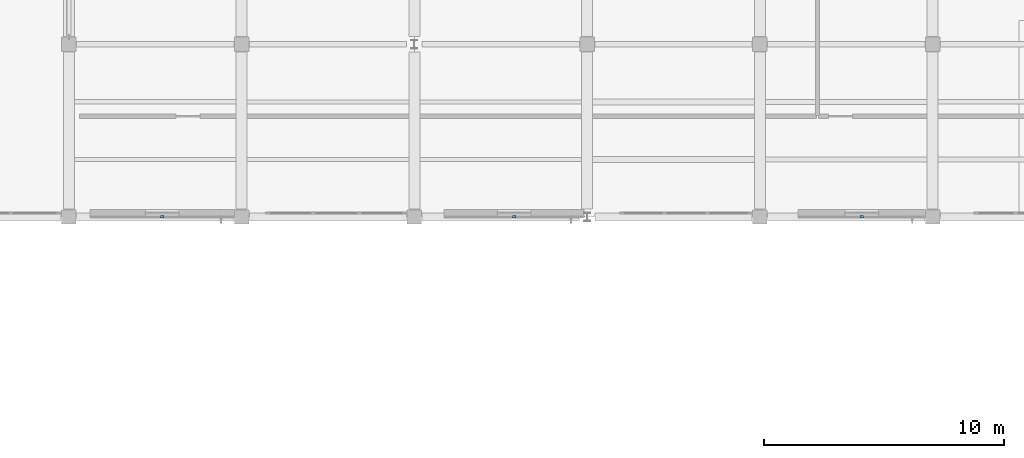
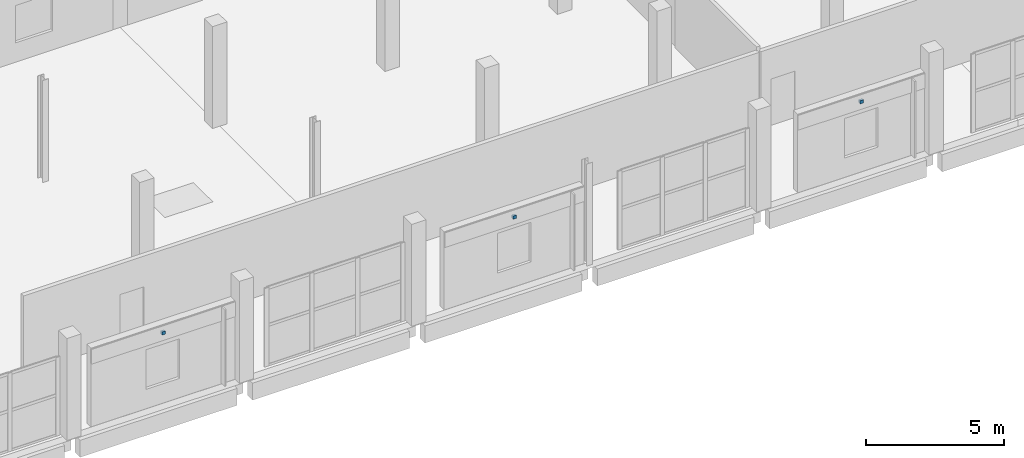
# One storey, part 101 of 123: 3 discrete accessories.
"""IFC4 building model written with IfcOpenShell, lengths in metres."""

from ifc_helpers import new_model, si_unit, direction, frame, origin, origin_2d, place, context, subcontext, project, spatial, rectangle, extrude, material, type_object, element, save


model = new_model("IFC4")

# Units and contexts
model_context = context("Model", 3, precision=1e-05, world=origin(), true_north=direction((0.0, 1.0)))
body_context = subcontext(model_context, "Body", "Model", "MODEL_VIEW")
ifc_project = project(units=[si_unit("LENGTHUNIT", "METRE"), si_unit("AREAUNIT", "SQUARE_METRE"), si_unit("VOLUMEUNIT", "CUBIC_METRE"), si_unit("PLANEANGLEUNIT", "RADIAN"), si_unit("MASSUNIT", "GRAM", prefix="KILO")], contexts=[model_context])

# Site, building, storey
site_placement = place(None, origin())
site = spatial("IfcSite", under=ifc_project, at=site_placement, CompositionType="ELEMENT")
building_placement = place(site_placement, origin())
building = spatial("IfcBuilding", under=site, at=building_placement, Name="Kalmorath City Hall", CompositionType="ELEMENT")
storey_placement = place(building_placement, frame((0.0, 0.0, 10.199951171875)))
storey = spatial("IfcBuildingStorey", under=building, at=storey_placement, Name="L02", CompositionType="ELEMENT", Elevation=10.199951171875)

# Discrete accessories
ifc_material = material(Name="Stainless steel Grade 316", Category="steel")
discrete_accessory_type = type_object("IfcDiscreteAccessoryType", Name="Stainless rainscreen support bracket", PredefinedType="BRACKET", material=ifc_material)
for number, where, z_axis, x_axis, name in (
    (1, (97.845458984375, 93.610107421875, 3.05126953125), (0.0, 0.0, 1.0), (-1.0, 0.0, 0.0), "L02 basalt anchor bracket #53"),
    (2, (83.35498046875, 93.610107421875, 3.03125), (0.0, 0.0, 1.0), (-1.0, 0.0, 0.0), "L02 basalt anchor bracket #54"),
    (3, (68.691650390625, 93.610107421875, 3.05126953125), (0.0, 0.0, 1.0), (-1.0, 0.0, 0.0), "L02 basalt anchor bracket #55"),
):
    element("IfcDiscreteAccessory", number, at=place(storey_placement, frame(where, z_axis=z_axis, x_axis=x_axis)), inside=storey, type_object=discrete_accessory_type, Name=name, PredefinedType="BRACKET", context=body_context, shape_type="SweptSolid", body=[
        extrude(rectangle(XDim=0.139892578125, YDim=0.10009765625, at=origin_2d()), origin(), (0.0, 0.0, 1.0), 0.139892578125),
    ])

save(model, "model.ifc")
